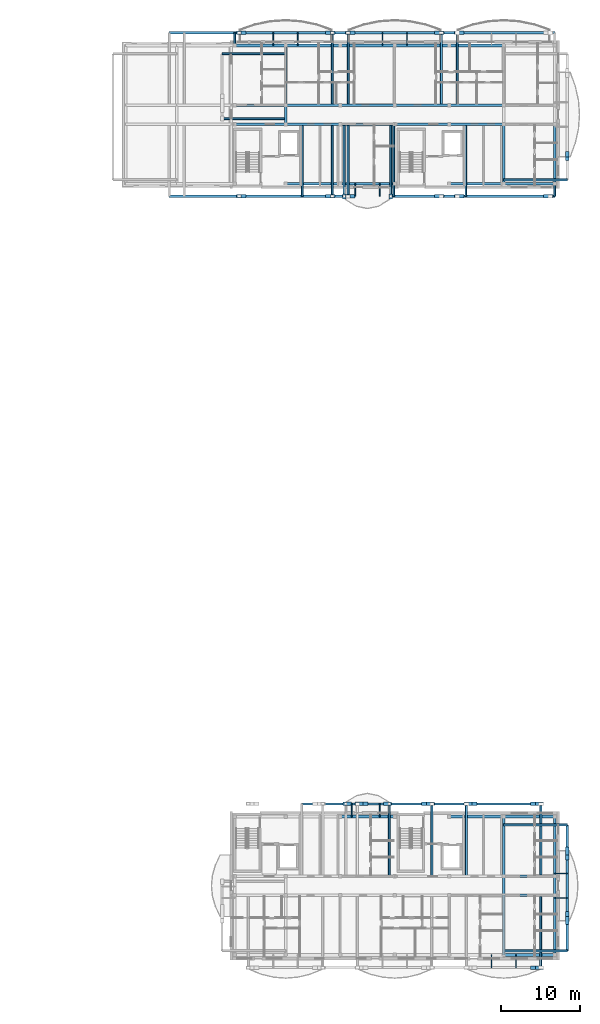
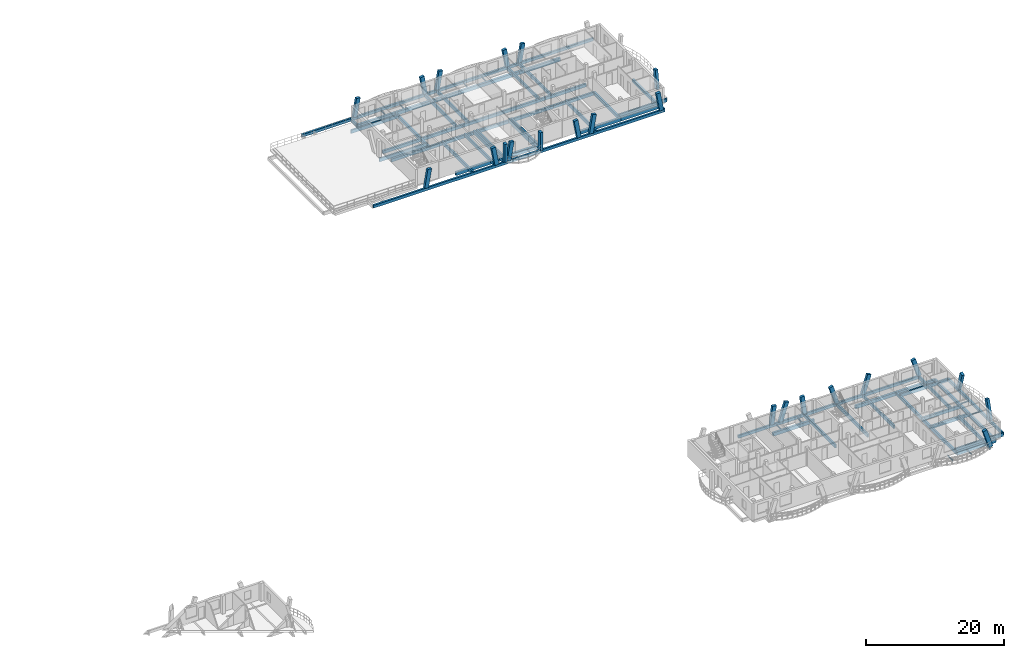
# One storey, part 6 of 44: 74 beams, 23 members.
"""IFC4 building model written with IfcOpenShell, lengths in metres."""

from ifc_helpers import new_model, si_unit, direction, frame, origin, origin_2d, place, context, subcontext, project, spatial, rectangle, i_section, extrude, material, material_profile, profile_set, type_object, element, save


model = new_model("IFC4")

# Units and contexts
model_context = context("Model", 3, precision=1e-05, world=origin(), true_north=direction((0.0, 1.0)))
body_context = subcontext(model_context, "Body", "Model", "MODEL_VIEW")
ifc_project = project(units=[si_unit("LENGTHUNIT", "METRE"), si_unit("AREAUNIT", "SQUARE_METRE"), si_unit("VOLUMEUNIT", "CUBIC_METRE"), si_unit("PLANEANGLEUNIT", "RADIAN"), si_unit("MASSUNIT", "GRAM", prefix="KILO")], contexts=[model_context])

# Site, building, storey
site_placement = place(None, origin())
site = spatial("IfcSite", under=ifc_project, at=site_placement, CompositionType="ELEMENT")
building_placement = place(site_placement, origin())
building = spatial("IfcBuilding", under=site, at=building_placement, Name="Zavelmont Quarter", CompositionType="ELEMENT")
storey_placement = place(building_placement, frame((0.0, 0.0, 20.800048828125)))
storey = spatial("IfcBuildingStorey", under=building, at=storey_placement, Name="L06", CompositionType="ELEMENT", Elevation=20.800048828125)

# Beams
ifc_material_1 = material(Name="Concrete C35/45", Category="concrete")
ifc_material_profile_1 = material_profile(ifc_material_1, rectangle(XDim=0.35009765625, YDim=0.60009765625, at=origin_2d()), Name="RC350X600")
ifc_profile_set_1 = profile_set([ifc_material_profile_1], Name="Concrete C35/45")
beam_type_1 = type_object("IfcBeamType", Name="BM01", PredefinedType="SPANDREL", material=ifc_profile_set_1)
beam_1_placement = place(storey_placement, frame((133.5, 98.0400390625, -0.550048828125), z_axis=(1.0, 0.0, 0.0), x_axis=(0.0, 1.0, 0.0)))
element("IfcBeam", 1, at=beam_1_placement, inside=storey, type_object=beam_type_1, Name="L06 beam BM01 20/P to 21/P", PredefinedType="SPANDREL", context=body_context, shape_type="SweptSolid", body=[
    extrude(rectangle(XDim=0.35009765625, YDim=0.60009765625, at=origin_2d()), origin(), (0.0, 0.0, 1.0), 6.89990234375),
])
for number, where, z_axis, x_axis, name in (
    (2, (140.39990234375, 98.0400390625, -0.550048828125), (1.0, 0.0, 0.0), (0.0, 1.0, 0.0), "L06 beam BM01 21/P to 22/P"),
    (3, (154.199951171875, 98.0400390625, -0.550048828125), (1.0, 0.0, 0.0), (0.0, 1.0, 0.0), "L06 beam BM01 23/P to 24/P"),
):
    element("IfcBeam", number, at=place(storey_placement, frame(where, z_axis=z_axis, x_axis=x_axis)), inside=storey, type_object=beam_type_1, Name=name, PredefinedType="SPANDREL", context=body_context, shape_type="SweptSolid", body=[
        extrude(rectangle(XDim=0.35009765625, YDim=0.60009765625, at=origin_2d()), origin(), (0.0, 0.0, 1.0), 6.900146484375),
    ])
for number, where, z_axis, x_axis, name in (
    (4, (161.10009765625, 98.0400390625, -0.550048828125), (1.0, 0.0, 0.0), (0.0, 1.0, 0.0), "L06 beam BM01 24/P to 25/P"),
    (5, (127.0400390625, 115.56005859375, -0.550048828125), (1.0, 0.0, 0.0), (0.0, 1.0, 0.0), "L06 beam BM01 19/S to 20/S"),
):
    element("IfcBeam", number, at=place(storey_placement, frame(where, z_axis=z_axis, x_axis=x_axis)), inside=storey, type_object=beam_type_1, Name=name, PredefinedType="SPANDREL", context=body_context, shape_type="SweptSolid", body=[
        extrude(rectangle(XDim=0.35009765625, YDim=0.60009765625, at=origin_2d()), origin(), (0.0, 0.0, 1.0), 6.4599609375),
    ])
beam_2_placement = place(storey_placement, frame((133.5, 115.56005859375, -0.550048828125), z_axis=(1.0, 0.0, 0.0), x_axis=(0.0, 1.0, 0.0)))
element("IfcBeam", 6, at=beam_2_placement, inside=storey, type_object=beam_type_1, Name="L06 beam BM01 20/S to 21/S", PredefinedType="SPANDREL", context=body_context, shape_type="SweptSolid", body=[
    extrude(rectangle(XDim=0.35009765625, YDim=0.60009765625, at=origin_2d()), origin(), (0.0, 0.0, 1.0), 6.89990234375),
])
beam_3_placement = place(storey_placement, frame((140.39990234375, 115.56005859375, -0.550048828125), z_axis=(1.0, 0.0, 0.0), x_axis=(0.0, 1.0, 0.0)))
element("IfcBeam", 7, at=beam_3_placement, inside=storey, type_object=beam_type_1, Name="L06 beam BM01 21/S to 22/S", PredefinedType="SPANDREL", context=body_context, shape_type="SweptSolid", body=[
    extrude(rectangle(XDim=0.35009765625, YDim=0.60009765625, at=origin_2d()), origin(), (0.0, 0.0, 1.0), 6.900146484375),
])
beam_4_placement = place(storey_placement, frame((147.300048828125, 115.56005859375, -0.550048828125), z_axis=(1.0, 0.0, 0.0), x_axis=(0.0, 1.0, 0.0)))
element("IfcBeam", 8, at=beam_4_placement, inside=storey, type_object=beam_type_1, Name="L06 beam BM01 22/S to 23/S", PredefinedType="SPANDREL", context=body_context, shape_type="SweptSolid", body=[
    extrude(rectangle(XDim=0.35009765625, YDim=0.60009765625, at=origin_2d()), origin(), (0.0, 0.0, 1.0), 6.89990234375),
])
beam_5_placement = place(storey_placement, frame((154.199951171875, 115.56005859375, -0.550048828125), z_axis=(1.0, 0.0, 0.0), x_axis=(0.0, 1.0, 0.0)))
element("IfcBeam", 9, at=beam_5_placement, inside=storey, type_object=beam_type_1, Name="L06 beam BM01 23/S to 24/S", PredefinedType="SPANDREL", context=body_context, shape_type="SweptSolid", body=[
    extrude(rectangle(XDim=0.35009765625, YDim=0.60009765625, at=origin_2d()), origin(), (0.0, 0.0, 1.0), 6.900146484375),
])
beam_6_placement = place(storey_placement, frame((161.10009765625, 0.43994140625, -0.550048828125), z_axis=(1.0, 0.0, 0.0), x_axis=(0.0, 1.0, 0.0)))
element("IfcBeam", 10, at=beam_6_placement, inside=storey, type_object=beam_type_1, Name="L06 beam BM01 24/A to 25/A", PredefinedType="SPANDREL", context=body_context, shape_type="SweptSolid", body=[
    extrude(rectangle(XDim=0.35009765625, YDim=0.60009765625, at=origin_2d()), origin(), (0.0, 0.0, 1.0), 6.4599609375),
])
for number, where, z_axis, x_axis, name in (
    (11, (140.39990234375, 17.9599609375, -0.550048828125), (1.0, 0.0, 0.0), (0.0, 1.0, 0.0), "L06 beam BM01 21/D to 22/D"),
    (12, (154.199951171875, 17.9599609375, -0.550048828125), (1.0, 0.0, 0.0), (0.0, 1.0, 0.0), "L06 beam BM01 23/D to 24/D"),
):
    element("IfcBeam", number, at=place(storey_placement, frame(where, z_axis=z_axis, x_axis=x_axis)), inside=storey, type_object=beam_type_1, Name=name, PredefinedType="SPANDREL", context=body_context, shape_type="SweptSolid", body=[
        extrude(rectangle(XDim=0.35009765625, YDim=0.60009765625, at=origin_2d()), origin(), (0.0, 0.0, 1.0), 6.900146484375),
    ])
beam_7_placement = place(storey_placement, frame((161.10009765625, 17.9599609375, -0.550048828125), z_axis=(1.0, 0.0, 0.0), x_axis=(0.0, 1.0, 0.0)))
element("IfcBeam", 13, at=beam_7_placement, inside=storey, type_object=beam_type_1, Name="L06 beam BM01 24/D to 25/D", PredefinedType="SPANDREL", context=body_context, shape_type="SweptSolid", body=[
    extrude(rectangle(XDim=0.35009765625, YDim=0.60009765625, at=origin_2d()), origin(), (0.0, 0.0, 1.0), 6.4599609375),
])
ifc_material_profile_2 = material_profile(ifc_material_1, rectangle(XDim=0.300048828125, YDim=0.550048828125, at=origin_2d()), Name="RC300X550")
ifc_profile_set_2 = profile_set([ifc_material_profile_2], Name="Concrete C35/45")
beam_type_2 = type_object("IfcBeamType", Name="BM02", PredefinedType="SPANDREL", material=ifc_profile_set_2)
beam_8_placement = place(storey_placement, frame((127.0400390625, 105.60009765625, -0.525146484375), z_axis=(1.0, 0.0, 0.0), x_axis=(0.0, 1.0, 0.0)))
element("IfcBeam", 14, at=beam_8_placement, inside=storey, type_object=beam_type_2, Name="L06 beam BM02 19/Q to 20/Q", PredefinedType="SPANDREL", context=body_context, shape_type="SweptSolid", body=[
    extrude(rectangle(XDim=0.300048828125, YDim=0.550048828125, at=origin_2d()), origin(), (0.0, 0.0, 1.0), 6.4599609375),
])
beam_9_placement = place(storey_placement, frame((133.5, 105.60009765625, -0.525146484375), z_axis=(1.0, 0.0, 0.0), x_axis=(0.0, 1.0, 0.0)))
element("IfcBeam", 15, at=beam_9_placement, inside=storey, type_object=beam_type_2, Name="L06 beam BM02 20/Q to 21/Q", PredefinedType="SPANDREL", context=body_context, shape_type="SweptSolid", body=[
    extrude(rectangle(XDim=0.300048828125, YDim=0.550048828125, at=origin_2d()), origin(), (0.0, 0.0, 1.0), 6.89990234375),
])
beam_10_placement = place(storey_placement, frame((140.39990234375, 105.60009765625, -0.525146484375), z_axis=(1.0, 0.0, 0.0), x_axis=(0.0, 1.0, 0.0)))
element("IfcBeam", 16, at=beam_10_placement, inside=storey, type_object=beam_type_2, Name="L06 beam BM02 21/Q to 22/Q", PredefinedType="SPANDREL", context=body_context, shape_type="SweptSolid", body=[
    extrude(rectangle(XDim=0.300048828125, YDim=0.550048828125, at=origin_2d()), origin(), (0.0, 0.0, 1.0), 6.900146484375),
])
beam_11_placement = place(storey_placement, frame((147.300048828125, 105.60009765625, -0.525146484375), z_axis=(1.0, 0.0, 0.0), x_axis=(0.0, 1.0, 0.0)))
element("IfcBeam", 17, at=beam_11_placement, inside=storey, type_object=beam_type_2, Name="L06 beam BM02 22/Q to 23/Q", PredefinedType="SPANDREL", context=body_context, shape_type="SweptSolid", body=[
    extrude(rectangle(XDim=0.300048828125, YDim=0.550048828125, at=origin_2d()), origin(), (0.0, 0.0, 1.0), 6.89990234375),
])
beam_12_placement = place(storey_placement, frame((154.199951171875, 105.60009765625, -0.525146484375), z_axis=(1.0, 0.0, 0.0), x_axis=(0.0, 1.0, 0.0)))
element("IfcBeam", 18, at=beam_12_placement, inside=storey, type_object=beam_type_2, Name="L06 beam BM02 23/Q to 24/Q", PredefinedType="SPANDREL", context=body_context, shape_type="SweptSolid", body=[
    extrude(rectangle(XDim=0.300048828125, YDim=0.550048828125, at=origin_2d()), origin(), (0.0, 0.0, 1.0), 6.900146484375),
])
beam_13_placement = place(storey_placement, frame((127.0400390625, 108.0, -0.525146484375), z_axis=(1.0, 0.0, 0.0), x_axis=(0.0, 1.0, 0.0)))
element("IfcBeam", 19, at=beam_13_placement, inside=storey, type_object=beam_type_2, Name="L06 beam BM02 19/R to 20/R", PredefinedType="SPANDREL", context=body_context, shape_type="SweptSolid", body=[
    extrude(rectangle(XDim=0.300048828125, YDim=0.550048828125, at=origin_2d()), origin(), (0.0, 0.0, 1.0), 6.4599609375),
])
beam_14_placement = place(storey_placement, frame((133.5, 108.0, -0.525146484375), z_axis=(1.0, 0.0, 0.0), x_axis=(0.0, 1.0, 0.0)))
element("IfcBeam", 20, at=beam_14_placement, inside=storey, type_object=beam_type_2, Name="L06 beam BM02 20/R to 21/R", PredefinedType="SPANDREL", context=body_context, shape_type="SweptSolid", body=[
    extrude(rectangle(XDim=0.300048828125, YDim=0.550048828125, at=origin_2d()), origin(), (0.0, 0.0, 1.0), 6.89990234375),
])
beam_15_placement = place(storey_placement, frame((140.39990234375, 108.0, -0.525146484375), z_axis=(1.0, 0.0, 0.0), x_axis=(0.0, 1.0, 0.0)))
element("IfcBeam", 21, at=beam_15_placement, inside=storey, type_object=beam_type_2, Name="L06 beam BM02 21/R to 22/R", PredefinedType="SPANDREL", context=body_context, shape_type="SweptSolid", body=[
    extrude(rectangle(XDim=0.300048828125, YDim=0.550048828125, at=origin_2d()), origin(), (0.0, 0.0, 1.0), 6.900146484375),
])
beam_16_placement = place(storey_placement, frame((147.300048828125, 108.0, -0.525146484375), z_axis=(1.0, 0.0, 0.0), x_axis=(0.0, 1.0, 0.0)))
element("IfcBeam", 22, at=beam_16_placement, inside=storey, type_object=beam_type_2, Name="L06 beam BM02 22/R to 23/R", PredefinedType="SPANDREL", context=body_context, shape_type="SweptSolid", body=[
    extrude(rectangle(XDim=0.300048828125, YDim=0.550048828125, at=origin_2d()), origin(), (0.0, 0.0, 1.0), 6.89990234375),
])
beam_17_placement = place(storey_placement, frame((154.199951171875, 108.0, -0.525146484375), z_axis=(1.0, 0.0, 0.0), x_axis=(0.0, 1.0, 0.0)))
element("IfcBeam", 23, at=beam_17_placement, inside=storey, type_object=beam_type_2, Name="L06 beam BM02 23/R to 24/R", PredefinedType="SPANDREL", context=body_context, shape_type="SweptSolid", body=[
    extrude(rectangle(XDim=0.300048828125, YDim=0.550048828125, at=origin_2d()), origin(), (0.0, 0.0, 1.0), 6.900146484375),
])
beam_18_placement = place(storey_placement, frame((133.5, 105.60009765625, -0.525146484375), z_axis=(0.0, 1.0, 0.0), x_axis=(-1.0, 0.0, 0.0)))
element("IfcBeam", 24, at=beam_18_placement, inside=storey, type_object=beam_type_2, Name="L06 beam BM02 20/Q to 20/R", PredefinedType="SPANDREL", context=body_context, shape_type="SweptSolid", body=[
    extrude(rectangle(XDim=0.300048828125, YDim=0.550048828125, at=origin_2d()), origin(), (0.0, 0.0, 1.0), 2.39990234375),
])
for number, where, z_axis, x_axis, name in (
    (25, (133.5, 108.0, -0.525146484375), (0.0, 1.0, 0.0), (-1.0, 0.0, 0.0), "L06 beam BM02 20/R to 20/S"),
    (26, (161.10009765625, 98.0400390625, -0.525146484375), (0.0, 1.0, 0.0), (-1.0, 0.0, 0.0), "L06 beam BM02 24/P to 24/Q"),
    (27, (167.56005859375, 98.0400390625, -0.525146484375), (0.0, 1.0, 0.0), (-1.0, 0.0, 0.0), "L06 beam BM02 25/P to 25/Q"),
):
    element("IfcBeam", number, at=place(storey_placement, frame(where, z_axis=z_axis, x_axis=x_axis)), inside=storey, type_object=beam_type_2, Name=name, PredefinedType="SPANDREL", context=body_context, shape_type="SweptSolid", body=[
        extrude(rectangle(XDim=0.300048828125, YDim=0.550048828125, at=origin_2d()), origin(), (0.0, 0.0, 1.0), 7.56005859375),
    ])
for number, where, z_axis, x_axis, name in (
    (28, (161.10009765625, 8.0, -0.525146484375), (1.0, 0.0, 0.0), (0.0, 1.0, 0.0), "L06 beam BM02 24/B to 25/B"),
    (29, (161.10009765625, 10.39990234375, -0.525146484375), (1.0, 0.0, 0.0), (0.0, 1.0, 0.0), "L06 beam BM02 24/C to 25/C"),
):
    element("IfcBeam", number, at=place(storey_placement, frame(where, z_axis=z_axis, x_axis=x_axis)), inside=storey, type_object=beam_type_2, Name=name, PredefinedType="SPANDREL", context=body_context, shape_type="SweptSolid", body=[
        extrude(rectangle(XDim=0.300048828125, YDim=0.550048828125, at=origin_2d()), origin(), (0.0, 0.0, 1.0), 6.4599609375),
    ])
beam_19_placement = place(storey_placement, frame((161.10009765625, 0.43994140625, -0.525146484375), z_axis=(0.0, 1.0, 0.0), x_axis=(-1.0, 0.0, 0.0)))
element("IfcBeam", 30, at=beam_19_placement, inside=storey, type_object=beam_type_2, Name="L06 beam BM02 24/A to 24/B", PredefinedType="SPANDREL", context=body_context, shape_type="SweptSolid", body=[
    extrude(rectangle(XDim=0.300048828125, YDim=0.550048828125, at=origin_2d()), origin(), (0.0, 0.0, 1.0), 7.56005859375),
])
beam_20_placement = place(storey_placement, frame((161.10009765625, 8.0, -0.525146484375), z_axis=(0.0, 1.0, 0.0), x_axis=(-1.0, 0.0, 0.0)))
element("IfcBeam", 31, at=beam_20_placement, inside=storey, type_object=beam_type_2, Name="L06 beam BM02 24/B to 24/C", PredefinedType="SPANDREL", context=body_context, shape_type="SweptSolid", body=[
    extrude(rectangle(XDim=0.300048828125, YDim=0.550048828125, at=origin_2d()), origin(), (0.0, 0.0, 1.0), 2.39990234375),
])
for number, where, z_axis, x_axis, name in (
    (32, (161.10009765625, 10.39990234375, -0.525146484375), (0.0, 1.0, 0.0), (-1.0, 0.0, 0.0), "L06 beam BM02 24/C to 24/D"),
    (33, (167.56005859375, 0.43994140625, -0.525146484375), (0.0, 1.0, 0.0), (-1.0, 0.0, 0.0), "L06 beam BM02 25/A to 25/B"),
):
    element("IfcBeam", number, at=place(storey_placement, frame(where, z_axis=z_axis, x_axis=x_axis)), inside=storey, type_object=beam_type_2, Name=name, PredefinedType="SPANDREL", context=body_context, shape_type="SweptSolid", body=[
        extrude(rectangle(XDim=0.300048828125, YDim=0.550048828125, at=origin_2d()), origin(), (0.0, 0.0, 1.0), 7.56005859375),
    ])
beam_21_placement = place(storey_placement, frame((167.56005859375, 8.0, -0.525146484375), z_axis=(0.0, 1.0, 0.0), x_axis=(-1.0, 0.0, 0.0)))
element("IfcBeam", 34, at=beam_21_placement, inside=storey, type_object=beam_type_2, Name="L06 beam BM02 25/B to 25/C", PredefinedType="SPANDREL", context=body_context, shape_type="SweptSolid", body=[
    extrude(rectangle(XDim=0.300048828125, YDim=0.550048828125, at=origin_2d()), origin(), (0.0, 0.0, 1.0), 2.39990234375),
])
beam_22_placement = place(storey_placement, frame((167.56005859375, 10.39990234375, -0.525146484375), z_axis=(0.0, 1.0, 0.0), x_axis=(-1.0, 0.0, 0.0)))
element("IfcBeam", 35, at=beam_22_placement, inside=storey, type_object=beam_type_2, Name="L06 beam BM02 25/C to 25/D", PredefinedType="SPANDREL", context=body_context, shape_type="SweptSolid", body=[
    extrude(rectangle(XDim=0.300048828125, YDim=0.550048828125, at=origin_2d()), origin(), (0.0, 0.0, 1.0), 7.56005859375),
])
ifc_material_profile_3 = material_profile(ifc_material_1, rectangle(XDim=0.300048828125, YDim=0.5, at=origin_2d()), Name="RC300X500")
ifc_profile_set_3 = profile_set([ifc_material_profile_3], Name="Concrete C35/45")
beam_type_3 = type_object("IfcBeamType", Name="BM03", PredefinedType="BEAM", material=ifc_profile_set_3)
for number, where, z_axis, x_axis, name in (
    (36, (118.75, 117.14990234375, -0.25), (1.0, 0.0, 0.0), (0.0, 1.0, 0.0), "L06 beam BM03 18/S to 25/S"),
    (37, (118.75, 96.449951171875, -0.25), (1.0, 0.0, 0.0), (0.0, 1.0, 0.0), "L06 beam BM03 18/P to 25/P"),
):
    element("IfcBeam", number, at=place(storey_placement, frame(where, z_axis=z_axis, x_axis=x_axis)), inside=storey, type_object=beam_type_3, Name=name, PredefinedType="BEAM", context=body_context, shape_type="SweptSolid", body=[
        extrude(rectangle(XDim=0.300048828125, YDim=0.5, at=origin_2d()), origin(), (0.0, 0.0, 1.0), 48.81005859375),
    ])
beam_23_placement = place(storey_placement, frame((135.52490234375, 19.550048828125, -0.25), z_axis=(1.0, 0.0, 0.0), x_axis=(0.0, 1.0, 0.0)))
element("IfcBeam", 38, at=beam_23_placement, inside=storey, type_object=beam_type_3, Name="L06 beam BM03 20/D to 25/D", PredefinedType="BEAM", context=body_context, shape_type="SweptSolid", body=[
    extrude(rectangle(XDim=0.300048828125, YDim=0.5, at=origin_2d()), origin(), (0.0, 0.0, 1.0), 30.2900390625),
])
beam_24_placement = place(storey_placement, frame((169.14990234375, 0.949951171875, -0.25), z_axis=(0.0, 1.0, 0.0), x_axis=(-1.0, 0.0, 0.0)))
element("IfcBeam", 39, at=beam_24_placement, inside=storey, type_object=beam_type_3, Name="L06 beam BM03 25/A to 25/D", PredefinedType="BEAM", context=body_context, shape_type="SweptSolid", body=[
    extrude(rectangle(XDim=0.300048828125, YDim=0.5, at=origin_2d()), origin(), (0.0, 0.0, 1.0), 15.949951171875),
])
ifc_material_2 = material(Name="Steel S355", Category="steel")
ifc_material_profile_4 = material_profile(ifc_material_2, i_section(OverallWidth=0.110107421875, OverallDepth=0.219970703125, WebThickness=0.005859375, FlangeThickness=0.00927734375, at=origin_2d()), Name="IPE 220")
ifc_profile_set_4 = profile_set([ifc_material_profile_4], Name="Steel S355")
beam_type_4 = type_object("IfcBeamType", Name="BM15", PredefinedType="JOIST", material=ifc_profile_set_4)
for number, where, z_axis, x_axis, name in (
    (40, (131.949951171875, 115.56005859375, -0.362060546875), (0.0, 1.0, 0.0), (-1.0, 0.0, 0.0), "L06 beam BM15 20/S to 20/S"),
    (41, (135.050048828125, 115.56005859375, -0.362060546875), (0.0, 1.0, 0.0), (-1.0, 0.0, 0.0), "L06 beam BM15 20/S to 20/S"),
    (42, (145.75, 115.56005859375, -0.366943359375), (0.0, 1.0, 0.0), (-1.0, 0.0, 0.0), "L06 beam BM15 22/S to 22/S"),
    (43, (148.85009765625, 115.56005859375, -0.366943359375), (0.0, 1.0, 0.0), (-1.0, 0.0, 0.0), "L06 beam BM15 22/S to 22/S"),
):
    element("IfcBeam", number, at=place(storey_placement, frame(where, z_axis=z_axis, x_axis=x_axis)), inside=storey, type_object=beam_type_4, Name=name, PredefinedType="JOIST", context=body_context, shape_type="SweptSolid", body=[
        extrude(i_section(OverallWidth=0.110107421875, OverallDepth=0.219970703125, WebThickness=0.005859375, FlangeThickness=0.00927734375, at=origin_2d()), origin(), (0.0, 0.0, 1.0), 1.58984375),
    ])
for number, where, z_axis, x_axis, name in (
    (44, (142.300048828125, 98.0400390625, -0.362060546875), (0.0, -1.0, 0.0), (1.0, 0.0, 0.0), "L06 beam BM15 21/P to 21/P"),
    (45, (145.39990234375, 98.0400390625, -0.362060546875), (0.0, -1.0, 0.0), (1.0, 0.0, 0.0), "L06 beam BM15 22/P to 22/P"),
):
    element("IfcBeam", number, at=place(storey_placement, frame(where, z_axis=z_axis, x_axis=x_axis)), inside=storey, type_object=beam_type_4, Name=name, PredefinedType="JOIST", context=body_context, shape_type="SweptSolid", body=[
        extrude(i_section(OverallWidth=0.110107421875, OverallDepth=0.219970703125, WebThickness=0.005859375, FlangeThickness=0.00927734375, at=origin_2d()), origin(), (0.0, 0.0, 1.0), 1.590087890625),
    ])
for number, where, z_axis, x_axis, name in (
    (46, (159.550048828125, 0.43994140625, -0.362060546875), (0.0, -1.0, 0.0), (1.0, 0.0, 0.0), "L06 beam BM15 24/A to 24/A"),
    (47, (162.64990234375, 0.43994140625, -0.362060546875), (0.0, -1.0, 0.0), (1.0, 0.0, 0.0), "L06 beam BM15 24/A to 24/A"),
    (48, (167.56005859375, 7.64990234375, -0.362060546875), (1.0, 0.0, 0.0), (0.0, 1.0, 0.0), "L06 beam BM15 25/B to 25/B"),
    (49, (167.56005859375, 10.75, -0.362060546875), (1.0, 0.0, 0.0), (0.0, 1.0, 0.0), "L06 beam BM15 25/C to 25/C"),
):
    element("IfcBeam", number, at=place(storey_placement, frame(where, z_axis=z_axis, x_axis=x_axis)), inside=storey, type_object=beam_type_4, Name=name, PredefinedType="JOIST", context=body_context, shape_type="SweptSolid", body=[
        extrude(i_section(OverallWidth=0.110107421875, OverallDepth=0.219970703125, WebThickness=0.005859375, FlangeThickness=0.00927734375, at=origin_2d()), origin(), (0.0, 0.0, 1.0), 1.58984375),
    ])
for number, where, z_axis, x_axis, name in (
    (50, (141.8798828125, 17.9599609375, -0.362060546875), (0.0, 1.0, 0.0), (-1.0, 0.0, 0.0), "L06 beam BM15 21/D to 21/D"),
    (51, (145.39990234375, 17.9599609375, -0.362060546875), (0.0, 1.0, 0.0), (-1.0, 0.0, 0.0), "L06 beam BM15 22/D to 22/D"),
):
    element("IfcBeam", number, at=place(storey_placement, frame(where, z_axis=z_axis, x_axis=x_axis)), inside=storey, type_object=beam_type_4, Name=name, PredefinedType="JOIST", context=body_context, shape_type="SweptSolid", body=[
        extrude(i_section(OverallWidth=0.110107421875, OverallDepth=0.219970703125, WebThickness=0.005859375, FlangeThickness=0.00927734375, at=origin_2d()), origin(), (0.0, 0.0, 1.0), 1.590087890625),
    ])
ifc_material_3 = material(Name="Concrete C40/50", Category="concrete")
ifc_material_profile_5 = material_profile(ifc_material_3, rectangle(XDim=0.25, YDim=0.60009765625, at=origin_2d()), Name="RC250X600")
ifc_profile_set_5 = profile_set([ifc_material_profile_5], Name="Concrete C40/50")
beam_type_5 = type_object("IfcBeamType", Name="BM18", PredefinedType="BEAM", material=ifc_profile_set_5)
beam_25_placement = place(storey_placement, frame((127.0400390625, 115.56005859375, -0.300048828125), z_axis=(0.0, 1.0, 0.0), x_axis=(-1.0, 0.0, 0.0)))
element("IfcBeam", 52, at=beam_25_placement, inside=storey, type_object=beam_type_5, Name="L06 beam BM18 19/S to 19/S", PredefinedType="BEAM", context=body_context, shape_type="SweptSolid", body=[
    extrude(rectangle(XDim=0.25, YDim=0.60009765625, at=origin_2d()), origin(), (0.0, 0.0, 1.0), 1.58984375),
])
for number, where, z_axis, x_axis, name in (
    (53, (139.39599609375, 108.0, -0.300048828125), (0.0, 1.0, 0.0), (-1.0, 0.0, 0.0), "L06 beam BM18 21/R to 21/S"),
    (54, (141.40380859375, 108.0, -0.300048828125), (0.0, 1.0, 0.0), (-1.0, 0.0, 0.0), "L06 beam BM18 21/R to 21/S"),
    (55, (153.196044921875, 108.0, -0.300048828125), (0.0, 1.0, 0.0), (-1.0, 0.0, 0.0), "L06 beam BM18 23/R to 23/S"),
    (56, (155.203857421875, 108.0, -0.300048828125), (0.0, 1.0, 0.0), (-1.0, 0.0, 0.0), "L06 beam BM18 23/R to 23/S"),
):
    element("IfcBeam", number, at=place(storey_placement, frame(where, z_axis=z_axis, x_axis=x_axis)), inside=storey, type_object=beam_type_5, Name=name, PredefinedType="BEAM", context=body_context, shape_type="SweptSolid", body=[
        extrude(rectangle(XDim=0.25, YDim=0.60009765625, at=origin_2d()), origin(), (0.0, 0.0, 1.0), 9.14990234375),
    ])
for number, where, z_axis, x_axis, name in (
    (57, (135.625, 105.60009765625, -0.300048828125), (0.0, -1.0, 0.0), (1.0, 0.0, 0.0), "L06 beam BM18 20/Q to 20/P"),
    (58, (139.39599609375, 105.60009765625, -0.300048828125), (0.0, -1.0, 0.0), (1.0, 0.0, 0.0), "L06 beam BM18 21/Q to 21/P"),
    (59, (141.40380859375, 105.60009765625, -0.300048828125), (0.0, -1.0, 0.0), (1.0, 0.0, 0.0), "L06 beam BM18 21/Q to 21/P"),
    (60, (147.199951171875, 105.60009765625, -0.300048828125), (0.0, -1.0, 0.0), (1.0, 0.0, 0.0), "L06 beam BM18 22/Q to 22/P"),
    (61, (156.324951171875, 105.60009765625, -0.300048828125), (0.0, -1.0, 0.0), (1.0, 0.0, 0.0), "L06 beam BM18 23/Q to 23/P"),
):
    element("IfcBeam", number, at=place(storey_placement, frame(where, z_axis=z_axis, x_axis=x_axis)), inside=storey, type_object=beam_type_5, Name=name, PredefinedType="BEAM", context=body_context, shape_type="SweptSolid", body=[
        extrude(rectangle(XDim=0.25, YDim=0.60009765625, at=origin_2d()), origin(), (0.0, 0.0, 1.0), 9.150146484375),
    ])
beam_26_placement = place(storey_placement, frame((167.56005859375, 98.0400390625, -0.300048828125), z_axis=(0.0, -1.0, 0.0), x_axis=(1.0, 0.0, 0.0)))
element("IfcBeam", 62, at=beam_26_placement, inside=storey, type_object=beam_type_5, Name="L06 beam BM18 25/P to 25/P", PredefinedType="BEAM", context=body_context, shape_type="SweptSolid", body=[
    extrude(rectangle(XDim=0.25, YDim=0.60009765625, at=origin_2d()), origin(), (0.0, 0.0, 1.0), 1.590087890625),
])
for number, where, z_axis, x_axis, name in (
    (63, (140.89990234375, 105.60009765625, -0.300048828125), (0.0, -1.0, 0.0), (1.0, 0.0, 0.0), "L06 beam BM18 21/Q to 21/P"),
    (64, (146.800048828125, 105.60009765625, -0.300048828125), (0.0, -1.0, 0.0), (1.0, 0.0, 0.0), "L06 beam BM18 22/Q to 22/P"),
):
    element("IfcBeam", number, at=place(storey_placement, frame(where, z_axis=z_axis, x_axis=x_axis)), inside=storey, type_object=beam_type_5, Name=name, PredefinedType="BEAM", context=body_context, shape_type="SweptSolid", body=[
        extrude(rectangle(XDim=0.25, YDim=0.60009765625, at=origin_2d()), origin(), (0.0, 0.0, 1.0), 9.150146484375),
    ])
beam_27_placement = place(storey_placement, frame((161.10009765625, 98.550048828125, -0.300048828125), z_axis=(1.0, 0.0, 0.0), x_axis=(0.0, 1.0, 0.0)))
element("IfcBeam", 65, at=beam_27_placement, inside=storey, type_object=beam_type_5, Name="L06 beam BM18 24/P to 25/P", PredefinedType="BEAM", context=body_context, shape_type="SweptSolid", body=[
    extrude(rectangle(XDim=0.25, YDim=0.60009765625, at=origin_2d()), origin(), (0.0, 0.0, 1.0), 8.0498046875),
])
for number, where, z_axis, x_axis, name in (
    (66, (133.5, 106.25, -0.300048828125), (-1.0, 0.0, 0.0), (0.0, -1.0, 0.0), "L06 beam BM18 20/Q to 19/Q"),
    (67, (133.5, 114.5, -0.300048828125), (-1.0, 0.0, 0.0), (0.0, -1.0, 0.0), "L06 beam BM18 20/S to 19/S"),
):
    element("IfcBeam", number, at=place(storey_placement, frame(where, z_axis=z_axis, x_axis=x_axis)), inside=storey, type_object=beam_type_5, Name=name, PredefinedType="BEAM", context=body_context, shape_type="SweptSolid", body=[
        extrude(rectangle(XDim=0.25, YDim=0.60009765625, at=origin_2d()), origin(), (0.0, 0.0, 1.0), 8.050048828125),
    ])
beam_28_placement = place(storey_placement, frame((165.814697265625, 8.0, -0.300048828125), z_axis=(0.0, -1.0, 0.0), x_axis=(1.0, 0.0, 0.0)))
element("IfcBeam", 68, at=beam_28_placement, inside=storey, type_object=beam_type_5, Name="L06 beam BM18 25/B to 25/A", PredefinedType="BEAM", context=body_context, shape_type="SweptSolid", body=[
    extrude(rectangle(XDim=0.25, YDim=0.60009765625, at=origin_2d()), origin(), (0.0, 0.0, 1.0), 9.14990234375),
])
for number, where, z_axis, x_axis, name in (
    (69, (152.0146484375, 10.39990234375, -0.300048828125), (0.0, 1.0, 0.0), (-1.0, 0.0, 0.0), "L06 beam BM18 23/C to 23/D"),
    (70, (156.38525390625, 10.39990234375, -0.300048828125), (0.0, 1.0, 0.0), (-1.0, 0.0, 0.0), "L06 beam BM18 23/C to 23/D"),
    (71, (165.814697265625, 10.39990234375, -0.300048828125), (0.0, 1.0, 0.0), (-1.0, 0.0, 0.0), "L06 beam BM18 25/C to 25/D"),
    (72, (146.58935546875, 10.39990234375, -0.300048828125), (0.0, 1.0, 0.0), (-1.0, 0.0, 0.0), "L06 beam BM18 22/C to 22/D"),
):
    element("IfcBeam", number, at=place(storey_placement, frame(where, z_axis=z_axis, x_axis=x_axis)), inside=storey, type_object=beam_type_5, Name=name, PredefinedType="BEAM", context=body_context, shape_type="SweptSolid", body=[
        extrude(rectangle(XDim=0.25, YDim=0.60009765625, at=origin_2d()), origin(), (0.0, 0.0, 1.0), 9.150146484375),
    ])
for number, where, z_axis, x_axis, name in (
    (73, (161.10009765625, 0.949951171875, -0.300048828125), (1.0, 0.0, 0.0), (0.0, 1.0, 0.0), "L06 beam BM18 24/A to 25/A"),
    (74, (161.10009765625, 16.89990234375, -0.300048828125), (1.0, 0.0, 0.0), (0.0, 1.0, 0.0), "L06 beam BM18 24/D to 25/D"),
):
    element("IfcBeam", number, at=place(storey_placement, frame(where, z_axis=z_axis, x_axis=x_axis)), inside=storey, type_object=beam_type_5, Name=name, PredefinedType="BEAM", context=body_context, shape_type="SweptSolid", body=[
        extrude(rectangle(XDim=0.25, YDim=0.60009765625, at=origin_2d()), origin(), (0.0, 0.0, 1.0), 8.0498046875),
    ])

# Members
ifc_material_4 = material(Name="White architectural precast concrete C40/50", Category="concrete")
ifc_material_profile_6 = material_profile(ifc_material_4, rectangle(XDim=0.43994140625, YDim=0.659912109375, at=origin_2d()), Name="PCR320X480")
ifc_profile_set_6 = profile_set([ifc_material_profile_6], Name="White architectural precast concrete C40/50")
member_type = type_object("IfcMemberType", Name="VR01M", PredefinedType="CHORD", material=ifc_profile_set_6)
for number, where, z_axis, x_axis, name in (
    (75, (127.60400390625, 117.14990234375, 0.0), (0.168458650753, 0.0, 0.985708721168), (0.0, 1.0, 0.0), "L06 member VR01M 19/S to 19/S"),
    (76, (139.39599609375, 117.14990234375, 0.0), (-0.168458650753, 0.0, 0.985708721168), (0.0, -1.0, 0.0), "L06 member VR01M 21/S to 21/S"),
    (77, (141.40380859375, 117.14990234375, 0.0), (0.168531719934, 0.0, 0.985696230781), (0.0, 1.0, 0.0), "L06 member VR01M 21/S to 21/S"),
    (78, (153.196044921875, 117.14990234375, 0.0), (-0.168458650753, 0.0, 0.985708721168), (0.0, -1.0, 0.0), "L06 member VR01M 23/S to 23/S"),
    (79, (155.203857421875, 117.14990234375, 0.0), (0.168531719934, 0.0, 0.985696230781), (0.0, 1.0, 0.0), "L06 member VR01M 23/S to 23/S"),
    (80, (127.60400390625, 96.449951171875, 0.0), (0.168458650753, 0.0, 0.985708721168), (0.0, 1.0, 0.0), "L06 member VR01M 19/P to 19/P"),
    (81, (139.39599609375, 96.449951171875, 0.0), (-0.168458650753, 0.0, 0.985708721168), (0.0, -1.0, 0.0), "L06 member VR01M 21/P to 21/P"),
    (82, (141.40380859375, 96.449951171875, 0.0), (0.168531719934, 0.0, 0.985696230781), (0.0, 1.0, 0.0), "L06 member VR01M 21/P to 21/P"),
    (83, (153.196044921875, 96.449951171875, 0.0), (-0.168458650753, 0.0, 0.985708721168), (0.0, -1.0, 0.0), "L06 member VR01M 23/P to 23/P"),
    (84, (155.203857421875, 96.449951171875, 0.0), (0.168531719934, 0.0, 0.985696230781), (0.0, 1.0, 0.0), "L06 member VR01M 23/P to 23/P"),
    (85, (166.99609375, 96.449951171875, 0.0), (-0.168458650753, 0.0, 0.985708721168), (0.0, -1.0, 0.0), "L06 member VR01M 25/P to 25/P"),
):
    element("IfcMember", number, at=place(storey_placement, frame(where, z_axis=z_axis, x_axis=x_axis)), inside=storey, type_object=member_type, Name=name, PredefinedType="CHORD", context=body_context, shape_type="SweptSolid", body=[
        extrude(rectangle(XDim=0.43994140625, YDim=0.659912109375, at=origin_2d()), origin(), (0.0, 0.0, 1.0), 3.246337890625),
    ])
for number, where, z_axis, x_axis, name in (
    (86, (140.89990234375, 96.449951171875, 0.0), (0.0, 0.0, 1.0), (1.0, 0.0, 0.0), "L06 member VR01M 21/P to 21/P"),
    (87, (146.800048828125, 96.449951171875, 0.0), (0.0, 0.0, 1.0), (1.0, 0.0, 0.0), "L06 member VR01M 22/P to 22/P"),
):
    element("IfcMember", number, at=place(storey_placement, frame(where, z_axis=z_axis, x_axis=x_axis)), inside=storey, type_object=member_type, Name=name, PredefinedType="CHORD", context=body_context, shape_type="SweptSolid", body=[
        extrude(rectangle(XDim=0.43994140625, YDim=0.659912109375, at=origin_2d()), origin(), (0.0, 0.0, 1.0), 3.199951171875),
    ])
member_placement = place(storey_placement, frame((169.14990234375, 101.31591796875, 0.0), z_axis=(0.0, 0.146195791747, 0.989255674978), x_axis=(-1.0, 0.0, 0.0)))
element("IfcMember", 88, at=member_placement, inside=storey, type_object=member_type, Name="L06 member VR01M 25/P to 25/Q", PredefinedType="CHORD", context=body_context, shape_type="SweptSolid", body=[
    extrude(rectangle(XDim=0.43994140625, YDim=0.659912109375, at=origin_2d()), origin(), (0.0, 0.0, 1.0), 3.234619140625),
])
for number, where, z_axis, x_axis, name in (
    (89, (165.814697265625, -1.14990234375, 0.0), (-0.301921452112, 0.0, 0.953332804825), (0.0, -1.0, 0.0), "L06 member VR01M 25/A to 25/A"),
    (90, (142.585205078125, 19.550048828125, 0.0), (0.301921452112, 0.0, 0.953332804825), (0.0, 1.0, 0.0), "L06 member VR01M 21/D to 21/D"),
    (91, (152.0146484375, 19.550048828125, 0.0), (-0.301921452112, 0.0, 0.953332804825), (0.0, -1.0, 0.0), "L06 member VR01M 23/D to 23/D"),
    (92, (156.38525390625, 19.550048828125, 0.0), (0.301921452112, 0.0, 0.953332804825), (0.0, 1.0, 0.0), "L06 member VR01M 23/D to 23/D"),
    (93, (165.814697265625, 19.550048828125, 0.0), (-0.301921452112, 0.0, 0.953332804825), (0.0, -1.0, 0.0), "L06 member VR01M 25/D to 25/D"),
):
    element("IfcMember", number, at=place(storey_placement, frame(where, z_axis=z_axis, x_axis=x_axis)), inside=storey, type_object=member_type, Name=name, PredefinedType="CHORD", context=body_context, shape_type="SweptSolid", body=[
        extrude(rectangle(XDim=0.43994140625, YDim=0.659912109375, at=origin_2d()), origin(), (0.0, 0.0, 1.0), 3.356689453125),
    ])
for number, where, z_axis, x_axis, name in (
    (94, (141.110595703125, 19.550048828125, 0.0), (0.120948807306, 0.0, 0.992658746), (0.0, 1.0, 0.0), "L06 member VR01M 21/D to 21/D"),
    (95, (146.58935546875, 19.550048828125, 0.0), (-0.120948807306, 0.0, 0.992658746), (0.0, -1.0, 0.0), "L06 member VR01M 22/D to 22/D"),
):
    element("IfcMember", number, at=place(storey_placement, frame(where, z_axis=z_axis, x_axis=x_axis)), inside=storey, type_object=member_type, Name=name, PredefinedType="CHORD", context=body_context, shape_type="SweptSolid", body=[
        extrude(rectangle(XDim=0.43994140625, YDim=0.659912109375, at=origin_2d()), origin(), (0.0, 0.0, 1.0), 3.2236328125),
    ])
for number, where, z_axis, x_axis, name in (
    (96, (169.14990234375, 4.62841796875, 0.0), (0.0, 0.289885796808, 0.957061244022), (-1.0, 0.0, 0.0), "L06 member VR01M 25/B to 25/B"),
    (97, (169.14990234375, 13.771484375, 0.0), (0.0, -0.289818911662, 0.957081500418), (1.0, 0.0, 0.0), "L06 member VR01M 25/C to 25/C"),
):
    element("IfcMember", number, at=place(storey_placement, frame(where, z_axis=z_axis, x_axis=x_axis)), inside=storey, type_object=member_type, Name=name, PredefinedType="CHORD", context=body_context, shape_type="SweptSolid", body=[
        extrude(rectangle(XDim=0.43994140625, YDim=0.659912109375, at=origin_2d()), origin(), (0.0, 0.0, 1.0), 3.343505859375),
    ])

save(model, "model.ifc")
